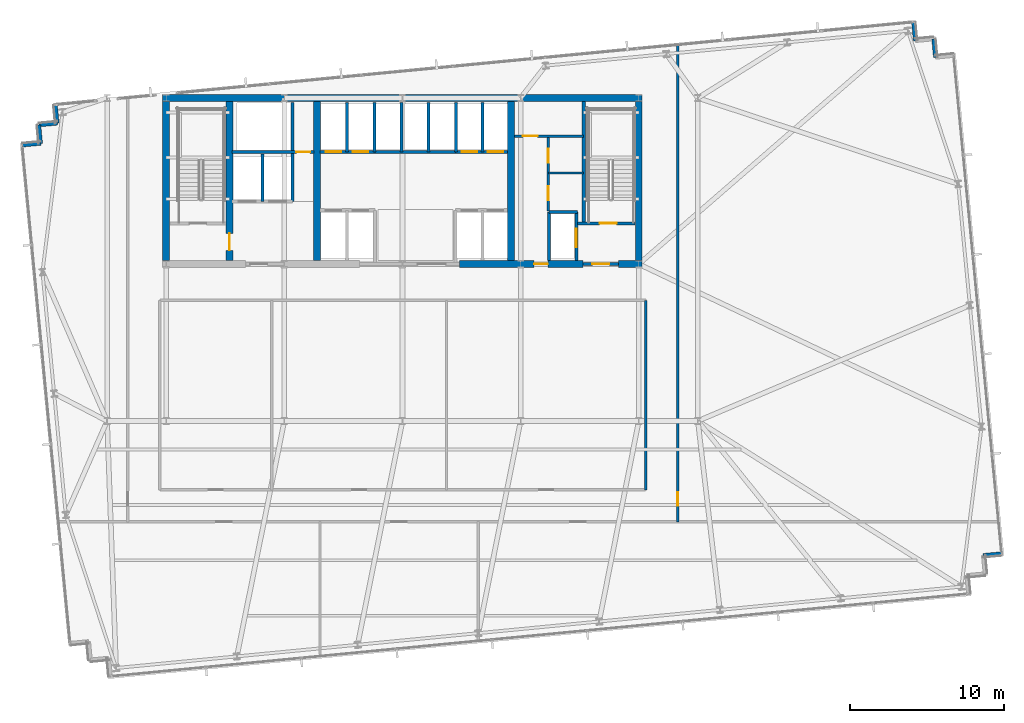
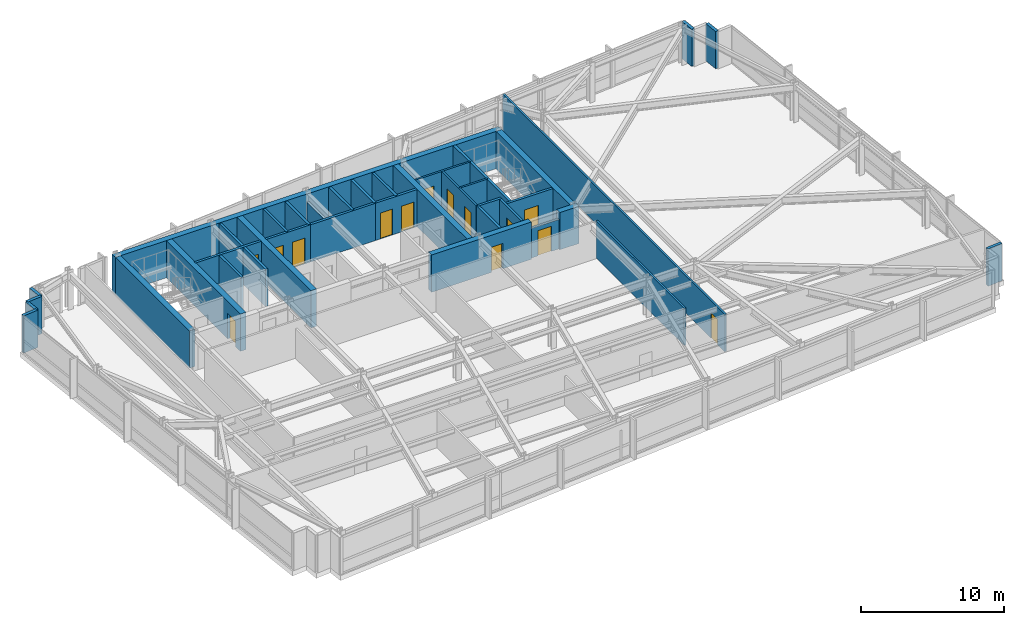
# One storey, part 26 of 33: 38 walls, 14 doors, 14 openings.
"""IFC4 building model written with IfcOpenShell, lengths in metres."""

from ifc_helpers import new_model, si_unit, direction, frame, frame_2d, origin, place, context, subcontext, project, spatial, rectangle, extrude, material, layer, layer_set, type_object, element, fill, save


model = new_model("IFC4")

# Units and contexts
model_context = context("Model", 3, precision=1e-05, world=origin(), true_north=direction((0.0, 1.0)))
body_context = subcontext(model_context, "Body", "Model", "MODEL_VIEW")
ifc_project = project(units=[si_unit("LENGTHUNIT", "METRE"), si_unit("AREAUNIT", "SQUARE_METRE"), si_unit("VOLUMEUNIT", "CUBIC_METRE"), si_unit("PLANEANGLEUNIT", "RADIAN"), si_unit("MASSUNIT", "GRAM", prefix="KILO")], contexts=[model_context])

# Site, building, storey
site_placement = place(None, origin())
site = spatial("IfcSite", under=ifc_project, at=site_placement, CompositionType="ELEMENT")
building_placement = place(site_placement, origin())
building = spatial("IfcBuilding", under=site, at=building_placement, Name="Yelkora Congress Tower", CompositionType="ELEMENT")
storey_placement = place(building_placement, frame((0.0, 0.0, 89.699951171875)))
storey = spatial("IfcBuildingStorey", under=building, at=storey_placement, Name="L23", CompositionType="ELEMENT", Elevation=89.699951171875)

# Walls
ifc_material_1 = material(Name="Concrete C50/60", Category="concrete")
ifc_layer_1 = layer(ifc_material_1, 0.219970703125)
ifc_layer_set_1 = layer_set([ifc_layer_1], Name="Concrete C50/60")
wall_type_1 = type_object("IfcWallType", Name="WALL-CORE-INT-220", PredefinedType="SHEAR", material=ifc_layer_set_1)
wall_1_placement = place(storey_placement, frame((50.179931640625, 38.050048828125, 0.0), z_axis=(0.0, 0.0, 1.0), x_axis=(0.0, 1.0, 0.0)))
element("IfcWall", 1, at=wall_1_placement, inside=storey, type_object=wall_type_1, Name="L23 ST02 West Stair Shear Wall", PredefinedType="SHEAR", context=body_context, shape_type="SweptSolid", body=[
    extrude(rectangle(XDim=7.925048828125, YDim=0.219970703125, at=frame_2d((3.96240234375, 0.0))), origin(), (0.0, 0.0, 1.0), 3.179931640625),
])
ifc_material_2 = material(Name="Concrete C60/75", Category="concrete")
ifc_layer_2 = layer(ifc_material_2, 0.449951171875)
ifc_layer_set_2 = layer_set([ifc_layer_2], Name="Concrete C60/75")
wall_type_2 = type_object("IfcWallType", Name="WALL-CORE-INT-450", PredefinedType="SHEAR", material=ifc_layer_set_2)
wall_2_placement = place(storey_placement, frame((22.81494140625, 46.199951171875, 0.0), z_axis=(0.0, 0.0, 1.0), x_axis=(1.0, 0.0, 0.0)))
element("IfcWall", 2, at=wall_2_placement, inside=storey, type_object=wall_type_2, Name="L23 Rear Core North Shear Wall", PredefinedType="SHEAR", context=body_context, shape_type="SweptSolid", body=[
    extrude(rectangle(XDim=31.170166015625, YDim=0.449951171875, at=frame_2d((15.5849609375, 0.0))), origin(), (0.0, 0.0, 1.0), 3.179931640625),
])

# Wall, opening, door
wall_3_placement = place(storey_placement, frame((42.10009765625, 35.39990234375, 0.0), z_axis=(0.0, 0.0, 1.0), x_axis=(1.0, 0.0, 0.0)))
wall_3 = element("IfcWall", 3, at=wall_3_placement, inside=storey, type_object=wall_type_2, Name="L23 Rear Core South-East Shear Wall A", PredefinedType="SHEAR", context=body_context, shape_type="SweptSolid", body=[
    extrude(rectangle(XDim=8.0498046875, YDim=0.449951171875, at=frame_2d((4.02490234375, 0.0))), origin(), (0.0, 0.0, 1.0), 3.179931640625),
])
opening_1_placement = place(wall_3_placement, frame((4.85009765625, 0.0, 0.0)))
opening_1 = element("IfcOpeningElement", 4, at=opening_1_placement, cuts=wall_3, Name="Opening DR-090F6", PredefinedType="OPENING", context=body_context, shape_type="SweptSolid", body=[
    extrude(rectangle(XDim=0.89990234375, YDim=2.14990234375, at=frame_2d((0.449951171875, 1.074951171875))), frame((0.0, 0.23486328125, 0.0), z_axis=(0.0, -1.0, 0.0), x_axis=(1.0, 0.0, 0.0)), (0.0, 0.0, 1.0), 0.469970703125),
])
ifc_material_3 = material(Name="Painted steel riser fire door leaf", Category="steel")
door_type_1 = type_object("IfcDoorType", Name="DOOR-FD60-900", OperationType="NOTDEFINED", PredefinedType="DOOR", material=ifc_material_3)
door_1_placement = place(opening_1_placement, origin())
door_1 = element("IfcDoor", 5, at=door_1_placement, inside=storey, type_object=door_type_1, Name="L23 Core Washroom Lobby Door", OperationType="SINGLE_SWING_RIGHT", OverallHeight=2.14990234375, OverallWidth=0.89990234375, PredefinedType="DOOR", context=body_context, shape_type="SweptSolid", body=[
    extrude(rectangle(XDim=0.89990234375, YDim=2.14990234375, at=frame_2d((0.449951171875, 1.074951171875))), frame((0.0, 0.02490234375, 0.0), z_axis=(0.0, -1.0, 0.0), x_axis=(1.0, 0.0, 0.0)), (0.0, 0.0, 1.0), 0.050048828125),
])
fill(opening_1, door_1)

# Walls
wall_4_placement = place(storey_placement, frame((52.449951171875, 35.39990234375, 0.0), z_axis=(0.0, 0.0, 1.0), x_axis=(1.0, 0.0, 0.0)))
element("IfcWall", 6, at=wall_4_placement, inside=storey, type_object=wall_type_2, Name="L23 Rear Core South-East Shear Wall B", PredefinedType="SHEAR", context=body_context, shape_type="SweptSolid", body=[
    extrude(rectangle(XDim=1.53515625, YDim=0.449951171875, at=frame_2d((0.767578125, 0.0))), origin(), (0.0, 0.0, 1.0), 3.179931640625),
])
wall_5_placement = place(storey_placement, frame((23.0400390625, 35.625, 0.0), z_axis=(0.0, 0.0, 1.0), x_axis=(0.0, 1.0, 0.0)))
element("IfcWall", 7, at=wall_5_placement, inside=storey, type_object=wall_type_2, Name="L23 Rear Core Cross Shear Wall W", PredefinedType="SHEAR", context=body_context, shape_type="SweptSolid", body=[
    extrude(rectangle(XDim=10.35009765625, YDim=0.449951171875, at=frame_2d((5.175048828125, 0.0))), origin(), (0.0, 0.0, 1.0), 3.179931640625),
])

# Wall, opening, door
wall_6_placement = place(storey_placement, frame((27.14990234375, 35.625, 0.0), z_axis=(0.0, 0.0, 1.0), x_axis=(0.0, 1.0, 0.0)))
wall_6 = element("IfcWall", 8, at=wall_6_placement, inside=storey, type_object=wall_type_2, Name="L23 Rear Core Cross Shear Wall C1", PredefinedType="SHEAR", context=body_context, shape_type="SweptSolid", body=[
    extrude(rectangle(XDim=10.35009765625, YDim=0.449951171875, at=frame_2d((5.175048828125, 0.0))), origin(), (0.0, 0.0, 1.0), 3.179931640625),
])
opening_2_placement = place(wall_6_placement, frame((0.675048828125, 0.0, 0.0)))
opening_2 = element("IfcOpeningElement", 9, at=opening_2_placement, cuts=wall_6, Name="Opening DR-110F9", PredefinedType="OPENING", context=body_context, shape_type="SweptSolid", body=[
    extrude(rectangle(XDim=1.10009765625, YDim=2.14990234375, at=frame_2d((0.550048828125, 1.074951171875))), frame((0.0, 0.23486328125, 0.0), z_axis=(0.0, -1.0, 0.0), x_axis=(1.0, 0.0, 0.0)), (0.0, 0.0, 1.0), 0.469970703125),
])
ifc_material_4 = material(Name="Galvanised steel fire door leaf", Category="steel")
door_type_2 = type_object("IfcDoorType", Name="DOOR-FD90-1100", OperationType="NOTDEFINED", PredefinedType="DOOR", material=ifc_material_4)
door_2_placement = place(opening_2_placement, origin())
door_2 = element("IfcDoor", 10, at=door_2_placement, inside=storey, type_object=door_type_2, Name="L23 Firefighting Stair Transfer Door", OperationType="SINGLE_SWING_LEFT", OverallHeight=2.14990234375, OverallWidth=1.10009765625, PredefinedType="DOOR", context=body_context, shape_type="SweptSolid", body=[
    extrude(rectangle(XDim=1.10009765625, YDim=2.14990234375, at=frame_2d((0.550048828125, 1.074951171875))), frame((0.0, 0.02490234375, 0.0), z_axis=(0.0, -1.0, 0.0), x_axis=(1.0, 0.0, 0.0)), (0.0, 0.0, 1.0), 0.050048828125),
])
fill(opening_2, door_2)

# Walls
for number, where, z_axis, x_axis, name in (
    (11, (32.85009765625, 35.625, 0.0), (0.0, 0.0, 1.0), (0.0, 1.0, 0.0), "L23 Rear Core Cross Shear Wall C2"),
    (12, (45.449951171875, 35.625, 0.0), (0.0, 0.0, 1.0), (0.0, 1.0, 0.0), "L23 Rear Core Cross Shear Wall C3"),
    (13, (53.760009765625, 35.625, 0.0), (0.0, 0.0, 1.0), (0.0, 1.0, 0.0), "L23 Rear Core Cross Shear Wall E"),
):
    element("IfcWall", number, at=place(storey_placement, frame(where, z_axis=z_axis, x_axis=x_axis)), inside=storey, type_object=wall_type_2, Name=name, PredefinedType="SHEAR", context=body_context, shape_type="SweptSolid", body=[
        extrude(rectangle(XDim=10.35009765625, YDim=0.449951171875, at=frame_2d((5.175048828125, 0.0))), origin(), (0.0, 0.0, 1.0), 3.179931640625),
    ])
ifc_material_5 = material(Name="Concrete C40/50", Category="concrete")
ifc_layer_3 = layer(ifc_material_5, 0.239990234375)
ifc_layer_set_3 = layer_set([ifc_layer_3], Name="Concrete C40/50")
wall_type_3 = type_object("IfcWallType", Name="WALL-EXT-LIMESTONE-240", PredefinedType="SOLIDWALL", material=ifc_layer_set_3)
for number, where, z_axis, x_axis, name in (
    (14, (13.69091796875, 43.126708984375, 0.0), (0.0, 0.0, 1.0), (0.995398960025, 0.095817067274, 0.0), "L23 Serrated Corner Limestone Pier 6"),
    (15, (14.885498046875, 43.24169921875, 0.0), (0.0, 0.0, 1.0), (-0.095817067274, 0.995398960025, 0.0), "L23 Serrated Corner Limestone Pier 7"),
):
    element("IfcWall", number, at=place(storey_placement, frame(where, z_axis=z_axis, x_axis=x_axis)), inside=storey, type_object=wall_type_3, Name=name, PredefinedType="SOLIDWALL", context=body_context, shape_type="SweptSolid", body=[
        extrude(rectangle(XDim=1.2001953125, YDim=0.239990234375, at=frame_2d((0.60009765625, 0.0))), origin(), (0.0, 0.0, 1.0), 3.179931640625),
    ])
for number, where, z_axis, x_axis, name in (
    (16, (14.7705078125, 44.436279296875, 0.0), (0.0, 0.0, 1.0), (0.995397091755, 0.095836473879, 0.0), "L23 Serrated Corner Limestone Pier 8"),
    (17, (15.96484375, 44.55126953125, 0.0), (0.0, 0.0, 1.0), (-0.095836473879, 0.995397091755, 0.0), "L23 Serrated Corner Limestone Pier 9"),
):
    element("IfcWall", number, at=place(storey_placement, frame(where, z_axis=z_axis, x_axis=x_axis)), inside=storey, type_object=wall_type_3, Name=name, PredefinedType="SOLIDWALL", context=body_context, shape_type="SweptSolid", body=[
        extrude(rectangle(XDim=1.199951171875, YDim=0.239990234375, at=frame_2d((0.60009765625, 0.0))), origin(), (0.0, 0.0, 1.0), 3.179931640625),
    ])
for number, where, z_axis, x_axis, name in (
    (18, (71.61181640625, 51.114990234375, 0.0), (0.0, 0.0, 1.0), (0.095817067274, -0.995398960025, 0.0), "L23 Serrated Corner Limestone Pier 11"),
    (19, (72.92138671875, 50.035400390625, 0.0), (0.0, 0.0, 1.0), (0.095817067274, -0.995398960025, 0.0), "L23 Serrated Corner Limestone Pier 13"),
):
    element("IfcWall", number, at=place(storey_placement, frame(where, z_axis=z_axis, x_axis=x_axis)), inside=storey, type_object=wall_type_3, Name=name, PredefinedType="SOLIDWALL", context=body_context, shape_type="SweptSolid", body=[
        extrude(rectangle(XDim=1.2001953125, YDim=0.239990234375, at=frame_2d((0.60009765625, 0.0))), origin(), (0.0, 0.0, 1.0), 3.179931640625),
    ])
wall_7_placement = place(storey_placement, frame((77.34765625, 16.585693359375, 0.0), z_axis=(0.0, 0.0, 1.0), x_axis=(-0.995397091755, -0.095836473879, 0.0)))
element("IfcWall", 20, at=wall_7_placement, inside=storey, type_object=wall_type_3, Name="L23 Serrated Corner Limestone Pier 16", PredefinedType="SOLIDWALL", context=body_context, shape_type="SweptSolid", body=[
    extrude(rectangle(XDim=1.199951171875, YDim=0.239990234375, at=frame_2d((0.60009765625, 0.0))), origin(), (0.0, 0.0, 1.0), 3.179931640625),
])

# Wall, opening, door
ifc_material_6 = material(Name="Acoustic metal-stud gypsum partition", Category="gypsum")
ifc_layer_4 = layer(ifc_material_6, 0.14990234375)
ifc_layer_set_4 = layer_set([ifc_layer_4], Name="Acoustic metal-stud gypsum partition")
wall_type_4 = type_object("IfcWallType", Name="WALL-INT-150-NR", PredefinedType="PARTITIONING", material=ifc_layer_set_4)
wall_8_placement = place(storey_placement, frame((45.679931640625, 43.719970703125, 0.0), z_axis=(0.0, 0.0, 1.0), x_axis=(1.0, 0.0, 0.0)))
wall_8 = element("IfcWall", 21, at=wall_8_placement, inside=storey, type_object=wall_type_4, Name="L23 Partition Wall 28", PredefinedType="PARTITIONING", context=body_context, shape_type="SweptSolid", body=[
    extrude(rectangle(XDim=4.5, YDim=0.14990234375, at=frame_2d((2.25, 0.0))), origin(), (0.0, 0.0, 1.0), 3.179931640625),
])
opening_3_placement = place(wall_8_placement, frame((0.550048828125, 0.0, 0.0)))
opening_3 = element("IfcOpeningElement", 22, at=opening_3_placement, cuts=wall_8, Name="Opening DR-095N", PredefinedType="OPENING", context=body_context, shape_type="SweptSolid", body=[
    extrude(rectangle(XDim=0.949951171875, YDim=2.14990234375, at=frame_2d((0.47509765625, 1.074951171875))), frame((0.0, 0.0849609375, 0.0), z_axis=(0.0, -1.0, 0.0), x_axis=(1.0, 0.0, 0.0)), (0.0, 0.0, 1.0), 0.169921875),
])
ifc_material_7 = material(Name="Acoustic laminated timber office door", Category="wood")
door_type_3 = type_object("IfcDoorType", Name="DOOR-INT-950", OperationType="NOTDEFINED", PredefinedType="DOOR", material=ifc_material_7)
door_3_placement = place(opening_3_placement, origin())
door_3 = element("IfcDoor", 23, at=door_3_placement, inside=storey, type_object=door_type_3, Name="L23 Accessible WC Door", OperationType="SINGLE_SWING_RIGHT", OverallHeight=2.14990234375, OverallWidth=0.949951171875, PredefinedType="DOOR", context=body_context, shape_type="SweptSolid", body=[
    extrude(rectangle(XDim=0.949951171875, YDim=2.14990234375, at=frame_2d((0.47509765625, 1.074951171875))), frame((0.0, 0.02490234375, 0.0), z_axis=(0.0, -1.0, 0.0), x_axis=(1.0, 0.0, 0.0)), (0.0, 0.0, 1.0), 0.050048828125),
])
fill(opening_3, door_3)

# Wall
wall_9_placement = place(storey_placement, frame((47.8798828125, 41.320068359375, 0.0), z_axis=(0.0, 0.0, 1.0), x_axis=(1.0, 0.0, 0.0)))
element("IfcWall", 24, at=wall_9_placement, inside=storey, type_object=wall_type_4, Name="L23 Partition Wall 29", PredefinedType="PARTITIONING", context=body_context, shape_type="SweptSolid", body=[
    extrude(rectangle(XDim=2.300048828125, YDim=0.14990234375, at=frame_2d((1.14990234375, 0.0))), origin(), (0.0, 0.0, 1.0), 3.179931640625),
])

# Wall, openings, doors
wall_10_placement = place(storey_placement, frame((47.8798828125, 38.85009765625, 0.0), z_axis=(0.0, 0.0, 1.0), x_axis=(0.0, 1.0, 0.0)))
wall_10 = element("IfcWall", 25, at=wall_10_placement, inside=storey, type_object=wall_type_4, Name="L23 Partition Wall 30", PredefinedType="PARTITIONING", context=body_context, shape_type="SweptSolid", body=[
    extrude(rectangle(XDim=4.869873046875, YDim=0.14990234375, at=frame_2d((2.43505859375, 0.0))), origin(), (0.0, 0.0, 1.0), 3.179931640625),
])
opening_4_placement = place(wall_10_placement, frame((0.699951171875, 0.0, 0.0)))
opening_4 = element("IfcOpeningElement", 26, at=opening_4_placement, cuts=wall_10, Name="Opening DR-090N", PredefinedType="OPENING", context=body_context, shape_type="SweptSolid", body=[
    extrude(rectangle(XDim=0.89990234375, YDim=2.14990234375, at=frame_2d((0.449951171875, 1.074951171875))), frame((0.0, 0.0849609375, 0.0), z_axis=(0.0, -1.0, 0.0), x_axis=(1.0, 0.0, 0.0)), (0.0, 0.0, 1.0), 0.169921875),
])
opening_5_placement = place(wall_10_placement, frame((3.14990234375, 0.0, 0.0)))
opening_5 = element("IfcOpeningElement", 27, at=opening_5_placement, cuts=wall_10, Name="Opening DR-090N", PredefinedType="OPENING", context=body_context, shape_type="SweptSolid", body=[
    extrude(rectangle(XDim=0.89990234375, YDim=2.14990234375, at=frame_2d((0.449951171875, 1.074951171875))), frame((0.0, 0.0849609375, 0.0), z_axis=(0.0, -1.0, 0.0), x_axis=(1.0, 0.0, 0.0)), (0.0, 0.0, 1.0), 0.169921875),
])
ifc_material_8 = material(Name="Moisture-resistant laminate door leaf", Category="wood")
door_type_4 = type_object("IfcDoorType", Name="DOOR-INT-900", OperationType="NOTDEFINED", PredefinedType="DOOR", material=ifc_material_8)
door_4_placement = place(opening_4_placement, origin())
door_4 = element("IfcDoor", 28, at=door_4_placement, inside=storey, type_object=door_type_4, Name="L23 Male WC Door", OperationType="SINGLE_SWING_LEFT", OverallHeight=2.14990234375, OverallWidth=0.89990234375, PredefinedType="DOOR", context=body_context, shape_type="SweptSolid", body=[
    extrude(rectangle(XDim=0.89990234375, YDim=2.14990234375, at=frame_2d((0.449951171875, 1.074951171875))), frame((0.0, 0.02490234375, 0.0), z_axis=(0.0, -1.0, 0.0), x_axis=(1.0, 0.0, 0.0)), (0.0, 0.0, 1.0), 0.050048828125),
])
fill(opening_4, door_4)
door_5_placement = place(opening_5_placement, origin())
door_5 = element("IfcDoor", 29, at=door_5_placement, inside=storey, type_object=door_type_4, Name="L23 Female WC Door", OperationType="SINGLE_SWING_RIGHT", OverallHeight=2.14990234375, OverallWidth=0.89990234375, PredefinedType="DOOR", context=body_context, shape_type="SweptSolid", body=[
    extrude(rectangle(XDim=0.89990234375, YDim=2.14990234375, at=frame_2d((0.449951171875, 1.074951171875))), frame((0.0, 0.02490234375, 0.0), z_axis=(0.0, -1.0, 0.0), x_axis=(1.0, 0.0, 0.0)), (0.0, 0.0, 1.0), 0.050048828125),
])
fill(opening_5, door_5)

# Wall, opening, door
wall_11_placement = place(storey_placement, frame((56.300048828125, 18.64990234375, 0.0), z_axis=(0.0, 0.0, 1.0), x_axis=(0.0, 1.0, 0.0)))
wall_11 = element("IfcWall", 30, at=wall_11_placement, inside=storey, type_object=wall_type_4, Name="L23 Partition Wall 35", PredefinedType="PARTITIONING", context=body_context, shape_type="SweptSolid", body=[
    extrude(rectangle(XDim=31.05078125, YDim=0.14990234375, at=frame_2d((15.525390625, 0.0))), origin(), (0.0, 0.0, 1.0), 3.179931640625),
])
opening_6_placement = place(wall_11_placement, frame((1.030029296875, 0.0, 0.0)))
opening_6 = element("IfcOpeningElement", 31, at=opening_6_placement, cuts=wall_11, Name="Opening DR-090N", PredefinedType="OPENING", context=body_context, shape_type="SweptSolid", body=[
    extrude(rectangle(XDim=0.89990234375, YDim=2.14990234375, at=frame_2d((0.449951171875, 1.074951171875))), frame((0.0, 0.0849609375, 0.0), z_axis=(0.0, -1.0, 0.0), x_axis=(1.0, 0.0, 0.0)), (0.0, 0.0, 1.0), 0.169921875),
])
door_6_placement = place(opening_6_placement, origin())
door_6 = element("IfcDoor", 32, at=door_6_placement, inside=storey, type_object=door_type_4, Name="L23 E Wing Door", OperationType="SINGLE_SWING_LEFT", OverallHeight=2.14990234375, OverallWidth=0.89990234375, PredefinedType="DOOR", context=body_context, shape_type="SweptSolid", body=[
    extrude(rectangle(XDim=0.89990234375, YDim=2.14990234375, at=frame_2d((0.449951171875, 1.074951171875))), frame((0.0, 0.02490234375, 0.0), z_axis=(0.0, -1.0, 0.0), x_axis=(1.0, 0.0, 0.0)), (0.0, 0.0, 1.0), 0.050048828125),
])
fill(opening_6, door_6)

# Walls
wall_12_placement = place(storey_placement, frame((54.219970703125, 20.72998046875, 0.0), z_axis=(0.0, 0.0, 1.0), x_axis=(0.0, 1.0, 0.0)))
element("IfcWall", 33, at=wall_12_placement, inside=storey, type_object=wall_type_4, Name="L23 Partition Wall 37", PredefinedType="PARTITIONING", context=body_context, shape_type="SweptSolid", body=[
    extrude(rectangle(XDim=12.320068359375, YDim=0.14990234375, at=frame_2d((6.16015625, 0.0))), origin(), (0.0, 0.0, 1.0), 3.179931640625),
])
ifc_material_9 = material(Name="Autoclaved aerated concrete blockwork", Category="masonry")
ifc_layer_5 = layer(ifc_material_9, 0.199951171875)
ifc_layer_set_5 = layer_set([ifc_layer_5], Name="Autoclaved aerated concrete blockwork")
wall_type_5 = type_object("IfcWallType", Name="WALL-INT-200-R120", PredefinedType="PARTITIONING", material=ifc_layer_set_5)
wall_13_placement = place(storey_placement, frame((29.300048828125, 39.47998046875, 0.0), z_axis=(0.0, 0.0, 1.0), x_axis=(0.0, 1.0, 0.0)))
element("IfcWall", 34, at=wall_13_placement, inside=storey, type_object=wall_type_5, Name="L23 Partition Wall 4", PredefinedType="PARTITIONING", context=body_context, shape_type="SweptSolid", body=[
    extrude(rectangle(XDim=3.070068359375, YDim=0.199951171875, at=frame_2d((1.53515625, 0.0))), origin(), (0.0, 0.0, 1.0), 3.179931640625),
])
wall_14_placement = place(storey_placement, frame((31.260009765625, 39.47998046875, 0.0), z_axis=(0.0, 0.0, 1.0), x_axis=(0.0, 1.0, 0.0)))
element("IfcWall", 35, at=wall_14_placement, inside=storey, type_object=wall_type_5, Name="L23 Partition Wall 5", PredefinedType="PARTITIONING", context=body_context, shape_type="SweptSolid", body=[
    extrude(rectangle(XDim=6.43994140625, YDim=0.199951171875, at=frame_2d((3.219970703125, 0.0))), origin(), (0.0, 0.0, 1.0), 3.179931640625),
])

# Wall, opening, door
wall_15_placement = place(storey_placement, frame((27.320068359375, 42.679931640625, 0.0), z_axis=(0.0, 0.0, 1.0), x_axis=(1.0, 0.0, 0.0)))
wall_15 = element("IfcWall", 36, at=wall_15_placement, inside=storey, type_object=wall_type_5, Name="L23 Smoke Riser South Wall", PredefinedType="PARTITIONING", context=body_context, shape_type="SweptSolid", body=[
    extrude(rectangle(XDim=5.329833984375, YDim=0.199951171875, at=frame_2d((2.6650390625, 0.0))), origin(), (0.0, 0.0, 1.0), 3.179931640625),
])
opening_7_placement = place(wall_15_placement, frame((4.179931640625, 0.0, 0.0)))
opening_7 = element("IfcOpeningElement", 37, at=opening_7_placement, cuts=wall_15, Name="Opening DR-090F6", PredefinedType="OPENING", context=body_context, shape_type="SweptSolid", body=[
    extrude(rectangle(XDim=0.89990234375, YDim=2.14990234375, at=frame_2d((0.449951171875, 1.074951171875))), frame((0.0, 0.10986328125, 0.0), z_axis=(0.0, -1.0, 0.0), x_axis=(1.0, 0.0, 0.0)), (0.0, 0.0, 1.0), 0.219970703125),
])
door_7_placement = place(opening_7_placement, origin())
door_7 = element("IfcDoor", 38, at=door_7_placement, inside=storey, type_object=door_type_1, Name="L23 Riser Access Door", OperationType="SINGLE_SWING_LEFT", OverallHeight=2.14990234375, OverallWidth=0.89990234375, PredefinedType="DOOR", context=body_context, shape_type="SweptSolid", body=[
    extrude(rectangle(XDim=0.89990234375, YDim=2.14990234375, at=frame_2d((0.449951171875, 1.074951171875))), frame((0.0, 0.02490234375, 0.0), z_axis=(0.0, -1.0, 0.0), x_axis=(1.0, 0.0, 0.0)), (0.0, 0.0, 1.0), 0.050048828125),
])
fill(opening_7, door_7)

# Walls
wall_16_placement = place(storey_placement, frame((36.60009765625, 42.699951171875, 0.0), z_axis=(0.0, 0.0, 1.0), x_axis=(1.0, 0.0, 0.0)))
element("IfcWall", 39, at=wall_16_placement, inside=storey, type_object=wall_type_5, Name="L23 Partition Wall 8", PredefinedType="PARTITIONING", context=body_context, shape_type="SweptSolid", body=[
    extrude(rectangle(XDim=5.25, YDim=0.199951171875, at=frame_2d((2.625, 0.0))), origin(), (0.0, 0.0, 1.0), 3.179931640625),
])
wall_17_placement = place(storey_placement, frame((38.35009765625, 42.699951171875, 0.0), z_axis=(0.0, 0.0, 1.0), x_axis=(0.0, 1.0, 0.0)))
element("IfcWall", 40, at=wall_17_placement, inside=storey, type_object=wall_type_5, Name="L23 Partition Wall 9", PredefinedType="PARTITIONING", context=body_context, shape_type="SweptSolid", body=[
    extrude(rectangle(XDim=3.219970703125, YDim=0.199951171875, at=frame_2d((1.60986328125, 0.0))), origin(), (0.0, 0.0, 1.0), 2.525146484375),
])
wall_18_placement = place(storey_placement, frame((40.10009765625, 42.699951171875, 0.0), z_axis=(0.0, 0.0, 1.0), x_axis=(0.0, 1.0, 0.0)))
element("IfcWall", 41, at=wall_18_placement, inside=storey, type_object=wall_type_5, Name="L23 Partition Wall 10", PredefinedType="PARTITIONING", context=body_context, shape_type="SweptSolid", body=[
    extrude(rectangle(XDim=3.219970703125, YDim=0.199951171875, at=frame_2d((1.60986328125, 0.0))), origin(), (0.0, 0.0, 1.0), 3.179931640625),
])

# Wall, openings, doors
wall_19_placement = place(storey_placement, frame((33.050048828125, 42.699951171875, 0.0), z_axis=(0.0, 0.0, 1.0), x_axis=(1.0, 0.0, 0.0)))
wall_19 = element("IfcWall", 42, at=wall_19_placement, inside=storey, type_object=wall_type_5, Name="L23 Partition Wall 12", PredefinedType="PARTITIONING", context=body_context, shape_type="SweptSolid", body=[
    extrude(rectangle(XDim=3.570068359375, YDim=0.199951171875, at=frame_2d((1.78515625, 0.0))), origin(), (0.0, 0.0, 1.0), 3.179931640625),
])
opening_8_placement = place(wall_19_placement, frame((0.375, 0.0, 0.0)))
opening_8 = element("IfcOpeningElement", 43, at=opening_8_placement, cuts=wall_19, Name="Opening LD-PS10", PredefinedType="OPENING", context=body_context, shape_type="SweptSolid", body=[
    extrude(rectangle(XDim=1.0, YDim=2.199951171875, at=frame_2d((0.5, 1.10009765625))), frame((0.0, 0.10986328125, 0.0), z_axis=(0.0, -1.0, 0.0), x_axis=(1.0, 0.0, 0.0)), (0.0, 0.0, 1.0), 0.219970703125),
])
opening_9_placement = place(wall_19_placement, frame((2.125, 0.0, 0.0)))
opening_9 = element("IfcOpeningElement", 44, at=opening_9_placement, cuts=wall_19, Name="Opening LD-PS10", PredefinedType="OPENING", context=body_context, shape_type="SweptSolid", body=[
    extrude(rectangle(XDim=1.0, YDim=2.199951171875, at=frame_2d((0.5, 1.10009765625))), frame((0.0, 0.10986328125, 0.0), z_axis=(0.0, -1.0, 0.0), x_axis=(1.0, 0.0, 0.0)), (0.0, 0.0, 1.0), 0.219970703125),
])
ifc_material_10 = material(Name="Champagne stainless steel landing door", Category="steel")
door_type_5 = type_object("IfcDoorType", Name="DOOR-LIFT-PAS-1000", OperationType="DOUBLE_DOOR_SLIDING", PredefinedType="DOOR", material=ifc_material_10)
door_8_placement = place(opening_8_placement, origin())
door_8 = element("IfcDoor", 45, at=door_8_placement, inside=storey, type_object=door_type_5, Name="Lift Landing Door LF-P3 L23", OperationType="DOUBLE_DOOR_SLIDING", OverallHeight=2.199951171875, OverallWidth=1.0, PredefinedType="DOOR", context=body_context, shape_type="SweptSolid", body=[
    extrude(rectangle(XDim=1.0, YDim=2.199951171875, at=frame_2d((0.5, 1.10009765625))), frame((0.0, 0.02490234375, 0.0), z_axis=(0.0, -1.0, 0.0), x_axis=(1.0, 0.0, 0.0)), (0.0, 0.0, 1.0), 0.050048828125),
])
fill(opening_8, door_8)
door_9_placement = place(opening_9_placement, origin())
door_9 = element("IfcDoor", 46, at=door_9_placement, inside=storey, type_object=door_type_5, Name="Lift Landing Door LF-P4 L23", OperationType="DOUBLE_DOOR_SLIDING", OverallHeight=2.199951171875, OverallWidth=1.0, PredefinedType="DOOR", context=body_context, shape_type="SweptSolid", body=[
    extrude(rectangle(XDim=1.0, YDim=2.199951171875, at=frame_2d((0.5, 1.10009765625))), frame((0.0, 0.02490234375, 0.0), z_axis=(0.0, -1.0, 0.0), x_axis=(1.0, 0.0, 0.0)), (0.0, 0.0, 1.0), 0.050048828125),
])
fill(opening_9, door_9)

# Walls
for number, where, z_axis, x_axis, name in (
    (47, (34.800048828125, 42.699951171875, 0.0), (0.0, 0.0, 1.0), (0.0, 1.0, 0.0), "L23 Partition Wall 14"),
    (48, (36.580078125, 42.699951171875, 0.0), (0.0, 0.0, 1.0), (0.0, 1.0, 0.0), "L23 Partition Wall 16"),
):
    element("IfcWall", number, at=place(storey_placement, frame(where, z_axis=z_axis, x_axis=x_axis)), inside=storey, type_object=wall_type_5, Name=name, PredefinedType="PARTITIONING", context=body_context, shape_type="SweptSolid", body=[
        extrude(rectangle(XDim=3.219970703125, YDim=0.199951171875, at=frame_2d((1.60986328125, 0.0))), origin(), (0.0, 0.0, 1.0), 3.179931640625),
    ])

# Wall, openings, doors
wall_20_placement = place(storey_placement, frame((41.85009765625, 42.699951171875, 0.0), z_axis=(0.0, 0.0, 1.0), x_axis=(1.0, 0.0, 0.0)))
wall_20 = element("IfcWall", 49, at=wall_20_placement, inside=storey, type_object=wall_type_5, Name="L23 Partition Wall 18", PredefinedType="PARTITIONING", context=body_context, shape_type="SweptSolid", body=[
    extrude(rectangle(XDim=3.369873046875, YDim=0.199951171875, at=frame_2d((1.68505859375, 0.0))), origin(), (0.0, 0.0, 1.0), 3.179931640625),
])
opening_10_placement = place(wall_20_placement, frame((0.39990234375, 0.0, 0.0)))
opening_10 = element("IfcOpeningElement", 50, at=opening_10_placement, cuts=wall_20, Name="Opening LD-PS10", PredefinedType="OPENING", context=body_context, shape_type="SweptSolid", body=[
    extrude(rectangle(XDim=1.0, YDim=2.199951171875, at=frame_2d((0.5, 1.10009765625))), frame((0.0, 0.10986328125, 0.0), z_axis=(0.0, -1.0, 0.0), x_axis=(1.0, 0.0, 0.0)), (0.0, 0.0, 1.0), 0.219970703125),
])
opening_11_placement = place(wall_20_placement, frame((2.10009765625, 0.0, 0.0)))
opening_11 = element("IfcOpeningElement", 51, at=opening_11_placement, cuts=wall_20, Name="Opening LD-PS10", PredefinedType="OPENING", context=body_context, shape_type="SweptSolid", body=[
    extrude(rectangle(XDim=1.0, YDim=2.199951171875, at=frame_2d((0.5, 1.10009765625))), frame((0.0, 0.10986328125, 0.0), z_axis=(0.0, -1.0, 0.0), x_axis=(1.0, 0.0, 0.0)), (0.0, 0.0, 1.0), 0.219970703125),
])
door_10_placement = place(opening_10_placement, origin())
door_10 = element("IfcDoor", 52, at=door_10_placement, inside=storey, type_object=door_type_5, Name="Lift Landing Door LF-P7 L23", OperationType="DOUBLE_DOOR_SLIDING", OverallHeight=2.199951171875, OverallWidth=1.0, PredefinedType="DOOR", context=body_context, shape_type="SweptSolid", body=[
    extrude(rectangle(XDim=1.0, YDim=2.199951171875, at=frame_2d((0.5, 1.10009765625))), frame((0.0, 0.02490234375, 0.0), z_axis=(0.0, -1.0, 0.0), x_axis=(1.0, 0.0, 0.0)), (0.0, 0.0, 1.0), 0.050048828125),
])
fill(opening_10, door_10)
door_11_placement = place(opening_11_placement, origin())
door_11 = element("IfcDoor", 53, at=door_11_placement, inside=storey, type_object=door_type_5, Name="Lift Landing Door LF-P8 L23", OperationType="DOUBLE_DOOR_SLIDING", OverallHeight=2.199951171875, OverallWidth=1.0, PredefinedType="DOOR", context=body_context, shape_type="SweptSolid", body=[
    extrude(rectangle(XDim=1.0, YDim=2.199951171875, at=frame_2d((0.5, 1.10009765625))), frame((0.0, 0.02490234375, 0.0), z_axis=(0.0, -1.0, 0.0), x_axis=(1.0, 0.0, 0.0)), (0.0, 0.0, 1.0), 0.050048828125),
])
fill(opening_11, door_11)

# Walls
for number, where, z_axis, x_axis, name in (
    (54, (43.60009765625, 42.699951171875, 0.0), (0.0, 0.0, 1.0), (0.0, 1.0, 0.0), "L23 Partition Wall 20"),
    (55, (41.8798828125, 42.699951171875, 0.0), (0.0, 0.0, 1.0), (0.0, 1.0, 0.0), "L23 Partition Wall 22"),
):
    element("IfcWall", number, at=place(storey_placement, frame(where, z_axis=z_axis, x_axis=x_axis)), inside=storey, type_object=wall_type_5, Name=name, PredefinedType="PARTITIONING", context=body_context, shape_type="SweptSolid", body=[
        extrude(rectangle(XDim=3.219970703125, YDim=0.199951171875, at=frame_2d((1.60986328125, 0.0))), origin(), (0.0, 0.0, 1.0), 3.179931640625),
    ])

# Wall, opening, door
wall_21_placement = place(storey_placement, frame((49.780029296875, 38.050048828125, 0.0), z_axis=(0.0, 0.0, 1.0), x_axis=(1.0, 0.0, 0.0)))
wall_21 = element("IfcWall", 56, at=wall_21_placement, inside=storey, type_object=wall_type_5, Name="L23 Stair ST-02 Enclosure Wall", PredefinedType="PARTITIONING", context=body_context, shape_type="SweptSolid", body=[
    extrude(rectangle(XDim=3.719970703125, YDim=0.199951171875, at=frame_2d((1.85986328125, 0.0))), origin(), (0.0, 0.0, 1.0), 3.179931640625),
])
opening_12_placement = place(wall_21_placement, frame((1.436279296875, 0.0, 0.0)))
opening_12 = element("IfcOpeningElement", 57, at=opening_12_placement, cuts=wall_21, Name="Opening DR-110F9", PredefinedType="OPENING", context=body_context, shape_type="SweptSolid", body=[
    extrude(rectangle(XDim=1.10009765625, YDim=2.14990234375, at=frame_2d((0.550048828125, 1.074951171875))), frame((0.0, 0.10986328125, 0.0), z_axis=(0.0, -1.0, 0.0), x_axis=(1.0, 0.0, 0.0)), (0.0, 0.0, 1.0), 0.219970703125),
])
door_12_placement = place(opening_12_placement, origin())
door_12 = element("IfcDoor", 58, at=door_12_placement, inside=storey, type_object=door_type_2, Name="L23 Stair ST-02 Entry Door", OperationType="SINGLE_SWING_LEFT", OverallHeight=2.14990234375, OverallWidth=1.10009765625, PredefinedType="DOOR", context=body_context, shape_type="SweptSolid", body=[
    extrude(rectangle(XDim=1.10009765625, YDim=2.14990234375, at=frame_2d((0.550048828125, 1.074951171875))), frame((0.0, 0.02490234375, 0.0), z_axis=(0.0, -1.0, 0.0), x_axis=(1.0, 0.0, 0.0)), (0.0, 0.0, 1.0), 0.050048828125),
])
fill(opening_12, door_12)

wall_22_placement = place(storey_placement, frame((50.14990234375, 35.39990234375, 0.0), z_axis=(0.0, 0.0, 1.0), x_axis=(1.0, 0.0, 0.0)))
wall_22 = element("IfcWall", 59, at=wall_22_placement, inside=storey, type_object=wall_type_5, Name="L23 Partition Wall 24", PredefinedType="PARTITIONING", context=body_context, shape_type="SweptSolid", body=[
    extrude(rectangle(XDim=2.300048828125, YDim=0.199951171875, at=frame_2d((1.14990234375, 0.0))), origin(), (0.0, 0.0, 1.0), 2.525146484375),
])
opening_13_placement = place(wall_22_placement, frame((0.60009765625, 0.0, 0.0)))
opening_13 = element("IfcOpeningElement", 60, at=opening_13_placement, cuts=wall_22, Name="Opening DR-110F9", PredefinedType="OPENING", context=body_context, shape_type="SweptSolid", body=[
    extrude(rectangle(XDim=1.10009765625, YDim=2.14990234375, at=frame_2d((0.550048828125, 1.074951171875))), frame((0.0, 0.10986328125, 0.0), z_axis=(0.0, -1.0, 0.0), x_axis=(1.0, 0.0, 0.0)), (0.0, 0.0, 1.0), 0.219970703125),
])
door_13_placement = place(opening_13_placement, origin())
door_13 = element("IfcDoor", 61, at=door_13_placement, inside=storey, type_object=door_type_2, Name="L23 East Stair Lobby Door", OperationType="SINGLE_SWING_RIGHT", OverallHeight=2.14990234375, OverallWidth=1.10009765625, PredefinedType="DOOR", context=body_context, shape_type="SweptSolid", body=[
    extrude(rectangle(XDim=1.10009765625, YDim=2.14990234375, at=frame_2d((0.550048828125, 1.074951171875))), frame((0.0, 0.02490234375, 0.0), z_axis=(0.0, -1.0, 0.0), x_axis=(1.0, 0.0, 0.0)), (0.0, 0.0, 1.0), 0.050048828125),
])
fill(opening_13, door_13)

wall_23_placement = place(storey_placement, frame((49.699951171875, 35.64990234375, 0.0), z_axis=(0.0, 0.0, 1.0), x_axis=(0.0, 1.0, 0.0)))
wall_23 = element("IfcWall", 62, at=wall_23_placement, inside=storey, type_object=wall_type_5, Name="L23 Partition Wall 25", PredefinedType="PARTITIONING", context=body_context, shape_type="SweptSolid", body=[
    extrude(rectangle(XDim=3.150146484375, YDim=0.199951171875, at=frame_2d((1.5751953125, 0.0))), origin(), (0.0, 0.0, 1.0), 3.179931640625),
])
opening_14_placement = place(wall_23_placement, frame((0.85009765625, 0.0, 0.0)))
opening_14 = element("IfcOpeningElement", 63, at=opening_14_placement, cuts=wall_23, Name="Opening LD-SV12", PredefinedType="OPENING", context=body_context, shape_type="SweptSolid", body=[
    extrude(rectangle(XDim=1.199951171875, YDim=2.199951171875, at=frame_2d((0.60009765625, 1.10009765625))), frame((0.0, 0.10986328125, 0.0), z_axis=(0.0, -1.0, 0.0), x_axis=(1.0, 0.0, 0.0)), (0.0, 0.0, 1.0), 0.219970703125),
])
ifc_material_11 = material(Name="Heavy-duty stainless steel landing door", Category="steel")
door_type_6 = type_object("IfcDoorType", Name="DOOR-LIFT-SRV-1200", OperationType="DOUBLE_DOOR_SLIDING", PredefinedType="DOOR", material=ifc_material_11)
door_14_placement = place(opening_14_placement, origin())
door_14 = element("IfcDoor", 64, at=door_14_placement, inside=storey, type_object=door_type_6, Name="Service Lift Landing Door LF-SV1 L23", OperationType="DOUBLE_DOOR_SLIDING", OverallHeight=2.199951171875, OverallWidth=1.199951171875, PredefinedType="DOOR", context=body_context, shape_type="SweptSolid", body=[
    extrude(rectangle(XDim=1.199951171875, YDim=2.199951171875, at=frame_2d((0.60009765625, 1.10009765625))), frame((0.0, 0.02490234375, 0.0), z_axis=(0.0, -1.0, 0.0), x_axis=(1.0, 0.0, 0.0)), (0.0, 0.0, 1.0), 0.050048828125),
])
fill(opening_14, door_14)

# Walls
wall_24_placement = place(storey_placement, frame((47.919921875, 35.64990234375, 0.0), z_axis=(0.0, 0.0, 1.0), x_axis=(0.0, 1.0, 0.0)))
element("IfcWall", 65, at=wall_24_placement, inside=storey, type_object=wall_type_5, Name="L23 Partition Wall 26", PredefinedType="PARTITIONING", context=body_context, shape_type="SweptSolid", body=[
    extrude(rectangle(XDim=3.150146484375, YDim=0.199951171875, at=frame_2d((1.5751953125, 0.0))), origin(), (0.0, 0.0, 1.0), 3.179931640625),
])
wall_25_placement = place(storey_placement, frame((47.919921875, 38.800048828125, 0.0), z_axis=(0.0, 0.0, 1.0), x_axis=(1.0, 0.0, 0.0)))
element("IfcWall", 66, at=wall_25_placement, inside=storey, type_object=wall_type_5, Name="L23 Partition Wall 27", PredefinedType="PARTITIONING", context=body_context, shape_type="SweptSolid", body=[
    extrude(rectangle(XDim=1.860107421875, YDim=0.199951171875, at=frame_2d((0.93017578125, 0.0))), origin(), (0.0, 0.0, 1.0), 3.179931640625),
])

save(model, "model.ifc")
